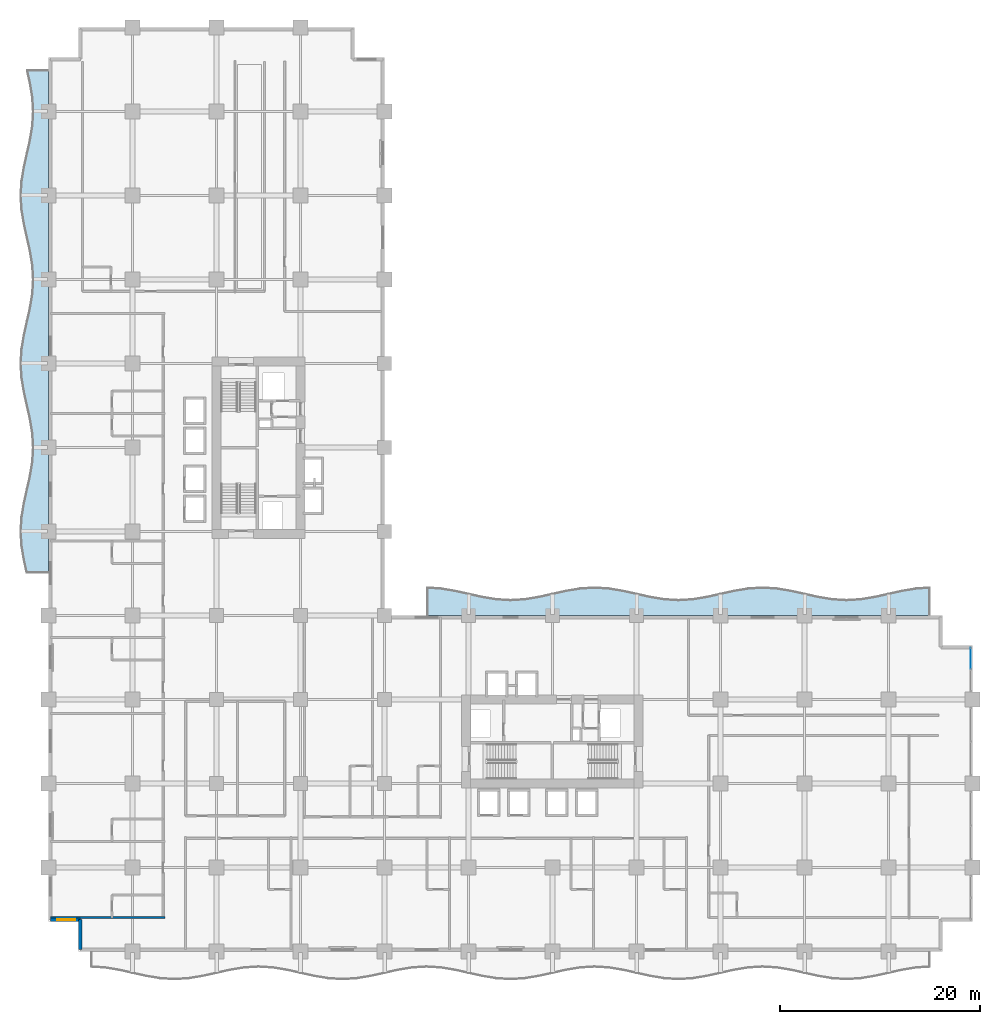
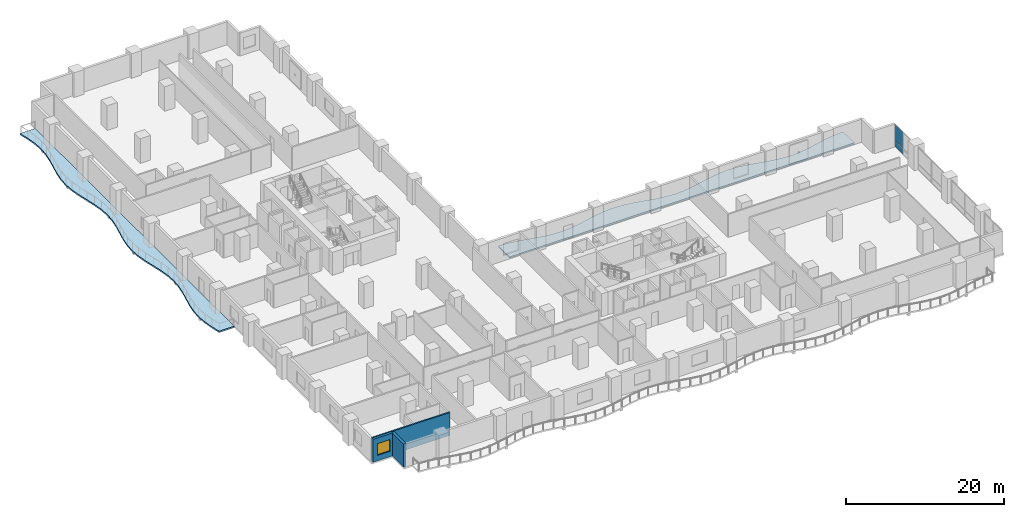
# One storey, part 9 of 27: 3 walls, 2 plates, 2 slabs, 1 window, 1 opening, 1 element without a shape of its own.
"""IFC4 building model written with IfcOpenShell, lengths in metres."""

from ifc_helpers import new_model, si_unit, direction, frame, frame_2d, origin, origin_2d, place, context, subcontext, project, spatial, polyline, rectangle, outline, extrude, material, layer, layer_set, type_object, element, fill, aggregate, save


model = new_model("IFC4")

# Units and contexts
model_context = context("Model", 3, precision=1e-05, world=origin(), true_north=direction((0.0, 1.0)))
body_context = subcontext(model_context, "Body", "Model", "MODEL_VIEW")
ifc_project = project(units=[si_unit("LENGTHUNIT", "METRE"), si_unit("AREAUNIT", "SQUARE_METRE"), si_unit("VOLUMEUNIT", "CUBIC_METRE"), si_unit("PLANEANGLEUNIT", "RADIAN"), si_unit("MASSUNIT", "GRAM", prefix="KILO")], contexts=[model_context])

# Site, building, storey
site_placement = place(None, origin())
site = spatial("IfcSite", under=ifc_project, at=site_placement, CompositionType="ELEMENT")
building_placement = place(site_placement, origin())
building = spatial("IfcBuilding", under=site, at=building_placement, Name="Koriwani Terraces Tower", CompositionType="ELEMENT")
storey_placement = place(building_placement, frame((0.0, 0.0, 70.0)))
storey = spatial("IfcBuildingStorey", under=building, at=storey_placement, Name="L16", CompositionType="ELEMENT", Elevation=70.0)

# Curtain wall, plates
ifc_material_1 = material(Name="Anodised Bronze Aluminium", Category="aluminium")
ifc_layer_1 = layer(ifc_material_1, 0.179931640625, Name="Anodised Bronze Aluminium")
ifc_layer_set_1 = layer_set([ifc_layer_1], Name="Anodised Bronze Aluminium")
curtain_wall_type = type_object("IfcCurtainWallType", Name="CW_HOTEL_ZONE1", PredefinedType="NOTDEFINED", material=ifc_layer_set_1)
curtain_wall_placement = place(storey_placement, origin())
curtain_wall = element("IfcCurtainWall", 1, at=curtain_wall_placement, inside=storey, type_object=curtain_wall_type, Name="L16 Unitised Curtain Wall (E_TIP) Bay 1", PredefinedType="NOTDEFINED")
ifc_material_2 = material(Name="Tempered Laminated Low-E Glass", Category="glass")
ifc_layer_2 = layer(ifc_material_2, 0.028076171875, Name="Tempered Laminated Low-E Glass")
ifc_layer_set_2 = layer_set([ifc_layer_2], Name="Tempered Laminated Low-E Glass")
plate_type = type_object("IfcPlateType", Name="CW_PANEL_VISION_28", PredefinedType="CURTAIN_PANEL", material=ifc_layer_set_2)
plate_1_placement = place(storey_placement, frame((92.22509765625, 29.302490234375, 0.06494140625), z_axis=(0.0, 0.0, 1.0), x_axis=(0.0, -1.0, 0.0)))
plate_1 = element("IfcPlate", 2, at=plate_1_placement, type_object=plate_type, Name="CW-Z1 panel 1.1", PredefinedType="CURTAIN_PANEL", context=body_context, shape_type="SweptSolid", body=[
    extrude(rectangle(XDim=2.094970703125, YDim=0.028076171875, at=origin_2d()), origin(), (0.0, 0.0, 1.0), 0.802490234375),
])
plate_2_placement = place(storey_placement, frame((92.22509765625, 29.302490234375, 0.9326171875), z_axis=(0.0, 0.0, 1.0), x_axis=(0.0, -1.0, 0.0)))
plate_2 = element("IfcPlate", 3, at=plate_2_placement, type_object=plate_type, Name="CW-Z1 panel 1.2", PredefinedType="CURTAIN_PANEL", context=body_context, shape_type="SweptSolid", body=[
    extrude(rectangle(XDim=2.094970703125, YDim=0.028076171875, at=origin_2d()), origin(), (0.0, 0.0, 1.0), 2.552490234375),
])
aggregate(curtain_wall, [plate_1, plate_2])

# Slabs
ifc_material_3 = material(Name="Concrete C40/50", Category="concrete")
ifc_layer_3 = layer(ifc_material_3, 0.219970703125, Name="Concrete C40/50")
ifc_layer_set_3 = layer_set([ifc_layer_3], Name="Concrete C40/50")
slab_type = type_object("IfcSlabType", Name="SLAB_BALCONY_220", PredefinedType="FLOOR", material=ifc_layer_set_3)
slab_1_placement = place(storey_placement, frame((0.0, 0.0, -0.219970703125)))
element("IfcSlab", 4, at=slab_1_placement, inside=storey, type_object=slab_type, Name="L16 Quilted Circular-Arc Balcony (W)", PredefinedType="FLOOR", context=body_context, shape_type="SweptSolid", body=[
    extrude(outline(polyline([(0.0, 37.800048828125), (0.0, 39.199951171875), (0.0, 40.60009765625), (0.0, 42.0), (0.0, 43.39990234375), (0.0, 44.800048828125), (0.0, 46.199951171875), (0.0, 47.60009765625), (0.0, 49.0), (0.0, 50.39990234375), (0.0, 51.800048828125), (0.0, 53.199951171875), (0.0, 54.60009765625), (0.0, 56.0), (0.0, 57.39990234375), (0.0, 58.800048828125), (0.0, 60.199951171875), (0.0, 61.60009765625), (0.0, 63.0), (0.0, 64.39990234375), (0.0, 65.800048828125), (0.0, 67.199951171875), (0.0, 68.60009765625), (0.0, 70.0), (0.0, 71.39990234375), (0.0, 72.800048828125), (0.0, 74.199951171875), (0.0, 75.60009765625), (0.0, 77.0), (0.0, 78.39990234375), (0.0, 79.800048828125), (0.0, 81.199951171875), (0.0, 82.60009765625), (0.0, 84.0), (0.0, 85.39990234375), (0.0, 86.800048828125), (0.0, 88.199951171875), (-2.22509765625, 88.199951171875), (-1.91259765625, 86.800048828125), (-1.68359375, 85.39990234375), (-1.60009765625, 84.0), (-1.68359375, 82.60009765625), (-1.91259765625, 81.199951171875), (-2.22509765625, 79.800048828125), (-2.53759765625, 78.39990234375), (-2.766357421875, 77.0), (-2.85009765625, 75.60009765625), (-2.766357421875, 74.199951171875), (-2.53759765625, 72.800048828125), (-2.22509765625, 71.39990234375), (-1.91259765625, 70.0), (-1.68359375, 68.60009765625), (-1.60009765625, 67.199951171875), (-1.68359375, 65.800048828125), (-1.91259765625, 64.39990234375), (-2.22509765625, 63.0), (-2.53759765625, 61.60009765625), (-2.766357421875, 60.199951171875), (-2.85009765625, 58.800048828125), (-2.766357421875, 57.39990234375), (-2.53759765625, 56.0), (-2.22509765625, 54.60009765625), (-1.91259765625, 53.199951171875), (-1.68359375, 51.800048828125), (-1.60009765625, 50.39990234375), (-1.68359375, 49.0), (-1.91259765625, 47.60009765625), (-2.22509765625, 46.199951171875), (-2.53759765625, 44.800048828125), (-2.766357421875, 43.39990234375), (-2.85009765625, 42.0), (-2.766357421875, 40.60009765625), (-2.53759765625, 39.199951171875), (-2.22509765625, 37.800048828125), (0.0, 37.800048828125)])), origin(), (0.0, 0.0, 1.0), 0.219970703125),
])
slab_2_placement = place(storey_placement, frame((0.0, 0.0, -0.219970703125)))
element("IfcSlab", 5, at=slab_2_placement, inside=storey, type_object=slab_type, Name="L16 Quilted Circular-Arc Balcony (NE)", PredefinedType="FLOOR", context=body_context, shape_type="SweptSolid", body=[
    extrude(outline(polyline([(88.199951171875, 33.60009765625), (86.800048828125, 33.60009765625), (85.39990234375, 33.60009765625), (84.0, 33.60009765625), (82.60009765625, 33.60009765625), (81.199951171875, 33.60009765625), (79.800048828125, 33.60009765625), (78.39990234375, 33.60009765625), (77.0, 33.60009765625), (75.60009765625, 33.60009765625), (74.199951171875, 33.60009765625), (72.800048828125, 33.60009765625), (71.39990234375, 33.60009765625), (70.0, 33.60009765625), (68.60009765625, 33.60009765625), (67.199951171875, 33.60009765625), (65.800048828125, 33.60009765625), (64.39990234375, 33.60009765625), (63.0, 33.60009765625), (61.60009765625, 33.60009765625), (60.199951171875, 33.60009765625), (58.800048828125, 33.60009765625), (57.39990234375, 33.60009765625), (56.0, 33.60009765625), (54.60009765625, 33.60009765625), (53.199951171875, 33.60009765625), (51.800048828125, 33.60009765625), (50.39990234375, 33.60009765625), (49.0, 33.60009765625), (47.60009765625, 33.60009765625), (46.199951171875, 33.60009765625), (44.800048828125, 33.60009765625), (43.39990234375, 33.60009765625), (42.0, 33.60009765625), (40.60009765625, 33.60009765625), (39.199951171875, 33.60009765625), (37.800048828125, 33.60009765625), (37.800048828125, 36.449951171875), (39.199951171875, 36.3662109375), (40.60009765625, 36.137451171875), (42.0, 35.824951171875), (43.39990234375, 35.512451171875), (44.800048828125, 35.28369140625), (46.199951171875, 35.199951171875), (47.60009765625, 35.28369140625), (49.0, 35.512451171875), (50.39990234375, 35.824951171875), (51.800048828125, 36.137451171875), (53.199951171875, 36.3662109375), (54.60009765625, 36.449951171875), (56.0, 36.3662109375), (57.39990234375, 36.137451171875), (58.800048828125, 35.824951171875), (60.199951171875, 35.512451171875), (61.60009765625, 35.28369140625), (63.0, 35.199951171875), (64.39990234375, 35.28369140625), (65.800048828125, 35.512451171875), (67.199951171875, 35.824951171875), (68.60009765625, 36.137451171875), (70.0, 36.3662109375), (71.39990234375, 36.449951171875), (72.800048828125, 36.3662109375), (74.199951171875, 36.137451171875), (75.60009765625, 35.824951171875), (77.0, 35.512451171875), (78.39990234375, 35.28369140625), (79.800048828125, 35.199951171875), (81.199951171875, 35.28369140625), (82.60009765625, 35.512451171875), (84.0, 35.824951171875), (85.39990234375, 36.137451171875), (86.800048828125, 36.3662109375), (88.199951171875, 36.449951171875), (88.199951171875, 33.60009765625)])), origin(), (0.0, 0.0, 1.0), 0.219970703125),
])

# Walls
ifc_material_4 = material(Name="Autoclaved Cellular Concrete Blockwork", Category="masonry")
ifc_layer_4 = layer(ifc_material_4, 0.219970703125, Name="Autoclaved Cellular Concrete Blockwork")
ifc_layer_set_4 = layer_set([ifc_layer_4], Name="Autoclaved Cellular Concrete Blockwork")
wall_type_1 = type_object("IfcWallType", Name="WALL_DEMISING_220", PredefinedType="PARTITIONING", material=ifc_layer_set_4)
wall_1_placement = place(storey_placement, frame((0.199951171875, 3.39990234375, 0.0), z_axis=(0.0, 0.0, 1.0), x_axis=(1.0, 0.0, 0.0)))
element("IfcWall", 6, at=wall_1_placement, inside=storey, type_object=wall_type_1, Name="L16 Interior Wall WDEM-L16-NW-0", PredefinedType="PARTITIONING", context=body_context, shape_type="SweptSolid", body=[
    extrude(rectangle(XDim=11.429931640625, YDim=0.219970703125, at=frame_2d((5.71484375, 0.0))), origin(), (0.0, 0.0, 1.0), 3.550048828125),
])
ifc_material_5 = material(Name="Concrete C50/60", Category="concrete")
ifc_layer_5 = layer(ifc_material_5, 0.35009765625, Name="Concrete C50/60")
ifc_layer_set_5 = layer_set([ifc_layer_5], Name="Concrete C50/60")
wall_type_2 = type_object("IfcWallType", Name="WALL_EXT_BRUTALIST_350", PredefinedType="STANDARD", material=ifc_layer_set_5)
wall_2_placement = place(storey_placement, frame((3.175048828125, 0.175048828125, 0.0), z_axis=(0.0, 0.0, 1.0), x_axis=(0.0, 1.0, 0.0)))
element("IfcWall", 7, at=wall_2_placement, inside=storey, type_object=wall_type_2, Name="L16 Fair-Faced Brutalist Exterior Wall (N0)", PredefinedType="STANDARD", context=body_context, shape_type="SweptSolid", body=[
    extrude(rectangle(XDim=3.0, YDim=0.35009765625, at=frame_2d((1.5, 0.0))), origin(), (0.0, 0.0, 1.0), 3.550048828125),
])

# Wall, opening, window
wall_3_placement = place(storey_placement, frame((3.175048828125, 3.175048828125, 0.0), z_axis=(0.0, 0.0, 1.0), x_axis=(-1.0, 0.0, 0.0)))
wall_3 = element("IfcWall", 8, at=wall_3_placement, inside=storey, type_object=wall_type_2, Name="L16 Fair-Faced Brutalist Exterior Wall (N1)", PredefinedType="STANDARD", context=body_context, shape_type="SweptSolid", body=[
    extrude(rectangle(XDim=3.0, YDim=0.35009765625, at=frame_2d((1.5, 0.0))), origin(), (0.0, 0.0, 1.0), 3.550048828125),
])
opening_placement = place(wall_3_placement, frame((0.5224609375, 0.0, 0.85009765625)))
opening = element("IfcOpeningElement", 9, at=opening_placement, cuts=wall_3, Name="Opening W-04", PredefinedType="OPENING", context=body_context, shape_type="SweptSolid", body=[
    extrude(rectangle(XDim=1.800048828125, YDim=1.800048828125, at=frame_2d((0.89990234375, 0.89990234375))), frame((0.0, 0.18505859375, 0.0), z_axis=(0.0, -1.0, 0.0), x_axis=(1.0, 0.0, 0.0)), (0.0, 0.0, 1.0), 0.3701171875),
])
window_type = type_object("IfcWindowType", Name="WIN_RES_BED_1800X1800", PartitioningType="DOUBLE_PANEL_VERTICAL", PredefinedType="WINDOW", material=ifc_material_2)
window_placement = place(opening_placement, origin())
window = element("IfcWindow", 10, at=window_placement, inside=storey, type_object=window_type, Name="L16 Exterior Window (N1-R37)", OverallHeight=1.800048828125, OverallWidth=1.800048828125, PartitioningType="SINGLE_PANEL", PredefinedType="WINDOW", context=body_context, shape_type="SweptSolid", body=[
    extrude(rectangle(XDim=1.800048828125, YDim=1.800048828125, at=frame_2d((0.89990234375, 0.89990234375))), frame((0.0, 0.030029296875, 0.0), z_axis=(0.0, -1.0, 0.0), x_axis=(1.0, 0.0, 0.0)), (0.0, 0.0, 1.0), 0.06005859375),
])
fill(opening, window)

save(model, "model.ifc")
